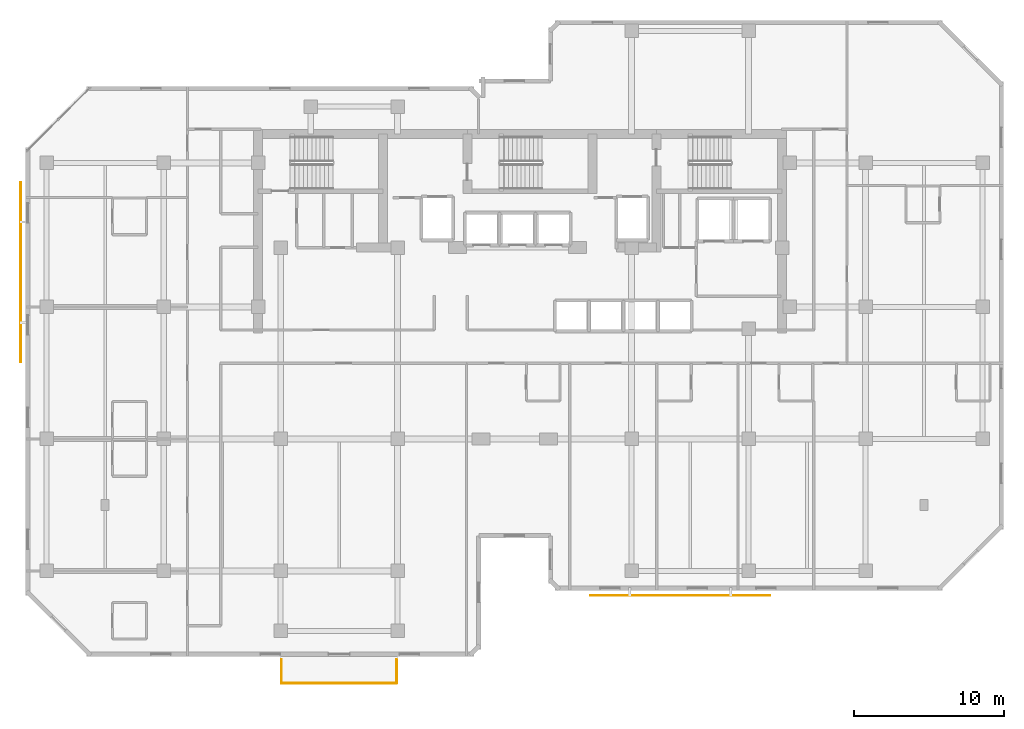
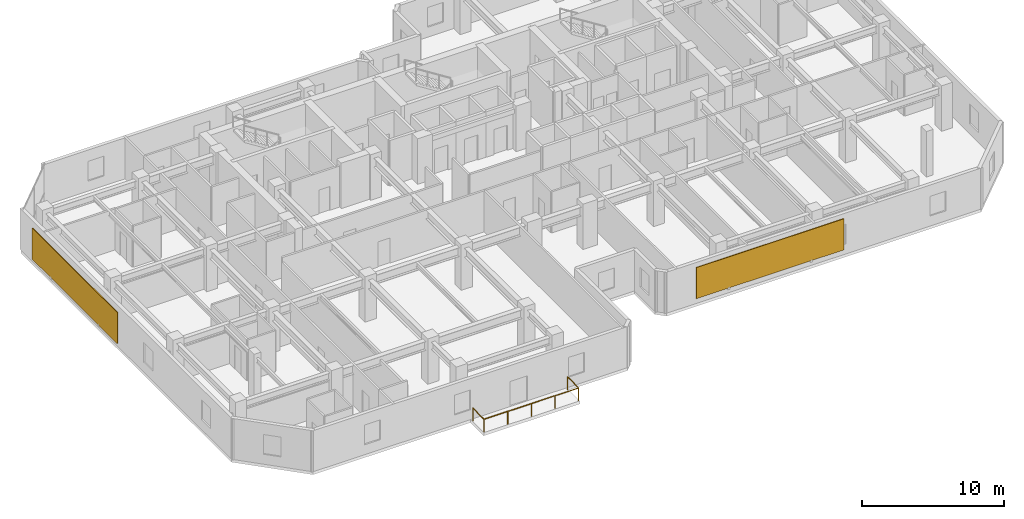
# One storey, part 9 of 10: 2 railings, 2 shading devices.
"""IFC4 building model written with IfcOpenShell, lengths in metres."""

import ifcopenshell
import ifcopenshell.guid

model = None  # the IFC model being written
_history = None  # IfcOwnerHistory: only IFC2X3 demands one
_inside = {}  # id of a spatial element -> (the spatial element, [elements in it])
_under = {}  # id of a project, library or spatial element -> (it, [spatial elements below it])
_declared = {}  # id of a project -> (the project, [libraries it declares])
_typed = {}  # id of a type object -> (the type object, [elements of that type])
_made_of = {}  # id of a material, layer set ... -> (it, [elements and type objects made of it])


def new_model(schema):
    """Start an empty IFC model of exactly this schema.

    Asked for "IFC4X3", IfcOpenShell would pick the latest addendum, in which some entities
    have other attributes; the version numbers below select the first issue.
    IFC2X3 requires an IfcOwnerHistory on every rooted entity: one is made here for all.
    """
    global model, _history
    if schema == "IFC4X3":
        model = ifcopenshell.file(schema_version=(4, 3, 0, 0))
    else:
        model = ifcopenshell.file(schema=schema)
    _inside.clear()
    _under.clear()
    _declared.clear()
    _typed.clear()
    _made_of.clear()
    _history = None
    if model.schema == "IFC2X3":
        org = make("IfcOrganization", Name="unknown")
        user = make(
            "IfcPersonAndOrganization",
            ThePerson=make("IfcPerson", FamilyName="unknown"),
            TheOrganization=org,
        )
        app = make(
            "IfcApplication",
            ApplicationDeveloper=org,
            Version="unknown",
            ApplicationFullName="unknown",
            ApplicationIdentifier="unknown",
        )
        _history = make(
            "IfcOwnerHistory",
            OwningUser=user,
            OwningApplication=app,
            ChangeAction="ADDED",
            CreationDate=0,
        )
    return model


def make(cls, **values):
    """One entity of the class cls with the attributes given. An attribute that is None is left unset."""
    return model.create_entity(
        cls, **{name: value for name, value in values.items() if value is not None}
    )


def rooted(cls, **values):
    """An entity with a GlobalId (a new one), such as an element, a storey or a relation."""
    return make(cls, GlobalId=ifcopenshell.guid.new(), OwnerHistory=_history, **values)


def si_unit(unit_type, name, prefix=None):
    """IfcSIUnit, for example si_unit("LENGTHUNIT", "METRE", prefix="MILLI")."""
    return make("IfcSIUnit", UnitType=unit_type, Prefix=prefix, Name=name)


def assignment(units):
    """IfcUnitAssignment: the units of a project."""
    return None if units is None else make("IfcUnitAssignment", Units=units)


def point(xyz):
    """IfcCartesianPoint."""
    return None if xyz is None else make("IfcCartesianPoint", Coordinates=xyz)


def direction(xyz):
    """IfcDirection."""
    return None if xyz is None else make("IfcDirection", DirectionRatios=xyz)


def frame(location, z_axis=None, x_axis=None):
    """IfcAxis2Placement3D, a coordinate frame: its origin and axes. An axis left out is left unset."""
    return make(
        "IfcAxis2Placement3D",
        Location=point(location),
        Axis=direction(z_axis),
        RefDirection=direction(x_axis),
    )


def frame_2d(location, x_axis=None):
    """IfcAxis2Placement2D, a coordinate frame in the plane: its origin and x axis."""
    return make(
        "IfcAxis2Placement2D", Location=point(location), RefDirection=direction(x_axis)
    )


def origin():
    """The frame at (0, 0, 0) with its axes left unset."""
    return frame((0.0, 0.0, 0.0))


def origin_2d():
    """The frame at (0, 0) in the plane with its x axis left unset."""
    return frame_2d((0.0, 0.0))


def place(relative_to, where):
    """IfcLocalPlacement: puts the frame where relative to a parent placement (None: the world)."""
    return make(
        "IfcLocalPlacement", PlacementRelTo=relative_to, RelativePlacement=where
    )


def context(
    kind, dimensions, precision=None, world=None, true_north=None, identifier=None
):
    """IfcGeometricRepresentationContext, for example the 3D "Model" context."""
    return make(
        "IfcGeometricRepresentationContext",
        ContextIdentifier=identifier,
        ContextType=kind,
        CoordinateSpaceDimension=dimensions,
        Precision=precision,
        WorldCoordinateSystem=world,
        TrueNorth=true_north,
    )


def subcontext(parent, identifier, kind, view, scale=None):
    """IfcGeometricRepresentationSubContext, for example "Body" below "Model"."""
    return make(
        "IfcGeometricRepresentationSubContext",
        ContextIdentifier=identifier,
        ContextType=kind,
        ParentContext=parent,
        TargetScale=scale,
        TargetView=view,
    )


def project(units=None, contexts=None):
    """IfcProject with its units and contexts."""
    return rooted(
        "IfcProject",
        Name="project",
        RepresentationContexts=contexts,
        UnitsInContext=assignment(units),
    )


def spatial(cls, under=None, at=None, **own):
    """A site, building, storey or space (cls), placed at a placement, below another one or the project."""
    s = rooted(cls, ObjectPlacement=at, **own)
    if under is not None:
        _under.setdefault(under.id(), (under, []))[1].append(s)
    return s


def profile(cls, at=None, kind="AREA", **sizes):
    """A parametric profile (cls). Its sizes go by their IFC names, for example OverallWidth=200.0."""
    return make(cls, ProfileType=kind, Position=at, **sizes)


def rectangle(**sizes):
    """IfcRectangleProfileDef."""
    return profile("IfcRectangleProfileDef", **sizes)


def circle(**sizes):
    """IfcCircleProfileDef."""
    return profile("IfcCircleProfileDef", **sizes)


def extrude(swept, where, along, depth):
    """IfcExtrudedAreaSolid: the profile swept, set in the frame where, extruded along a direction by depth."""
    return make(
        "IfcExtrudedAreaSolid",
        SweptArea=swept,
        Position=where,
        ExtrudedDirection=direction(along),
        Depth=depth,
    )


def shape(context_of_items, identifier, shape_type, items):
    """IfcShapeRepresentation: the items that make up one representation, for example the "Body"."""
    return make(
        "IfcShapeRepresentation",
        ContextOfItems=context_of_items,
        RepresentationIdentifier=identifier,
        RepresentationType=shape_type,
        Items=items,
    )


def material(Name=None, Category=None):
    """IfcMaterial."""
    return make("IfcMaterial", Name=Name, Category=Category)


def layer(
    of_material, thickness, ventilated=None, Name=None, Category=None, Priority=None
):
    """IfcMaterialLayer: one layer of a wall or slab, of a material (None: an air gap)."""
    return make(
        "IfcMaterialLayer",
        Material=of_material,
        LayerThickness=thickness,
        IsVentilated=ventilated,
        Name=Name,
        Category=Category,
        Priority=Priority,
    )


def layer_set(layers, Name=None):
    """IfcMaterialLayerSet."""
    return make("IfcMaterialLayerSet", MaterialLayers=layers, LayerSetName=Name)


def made_of(thing, what):
    """Note that an element or type object is made of a material, layer set ...; save() writes the relation."""
    if what is not None:
        _made_of.setdefault(what.id(), (what, []))[1].append(thing)
    return thing


def type_object(cls, material=None, **own):
    """A type object (cls), such as IfcWallType, which elements share."""
    return made_of(rooted(cls, **own), material)


def element(
    cls,
    number,
    at=None,
    inside=None,
    cuts=None,
    type_object=None,
    material=None,
    context=None,
    identifier="Body",
    shape_type=None,
    held_by="IfcProductDefinitionShape",
    body=None,
    shapes=None,
    **own,
):
    """One element of the class cls, such as IfcWall. Its Tag is "e" and its number.

    at: its placement. inside: the storey or other place that contains it. cuts: it is an
    opening in that element (IfcRelVoidsElement). A single representation is given by context,
    identifier, shape_type and body (its items); several are given by shapes. held_by: the class
    of the entity that holds the representations. save() writes the other relations.
    """
    e = rooted(cls, Tag="e%d" % number, ObjectPlacement=at, **own)
    if body is not None:
        shapes = [shape(context, identifier, shape_type, body)]
    if shapes is not None:
        e.Representation = make(held_by, Representations=shapes)
    if inside is not None:
        _inside.setdefault(inside.id(), (inside, []))[1].append(e)
    if cuts is not None:
        rooted(
            "IfcRelVoidsElement", RelatingBuildingElement=cuts, RelatedOpeningElement=e
        )
    if type_object is not None:
        _typed.setdefault(type_object.id(), (type_object, []))[1].append(e)
    return made_of(e, material)


def aggregate(whole, parts):
    """IfcRelAggregates: a whole, such as a stair, and the parts it consists of."""
    return rooted("IfcRelAggregates", RelatingObject=whole, RelatedObjects=parts)


def save(model, path):
    """Write the relations noted so far, then the file.

    IfcRelAggregates (storeys below a building ...), IfcRelContainedInSpatialStructure (elements
    in a storey), IfcRelDefinesByType, IfcRelAssociatesMaterial and IfcRelDeclares: one each for
    every whole, place, type object, material and project.
    """
    for whole, parts in _under.values():
        aggregate(whole, parts)
    for where, things in _inside.values():
        rooted(
            "IfcRelContainedInSpatialStructure",
            RelatedElements=things,
            RelatingStructure=where,
        )
    for kind, things in _typed.values():
        rooted("IfcRelDefinesByType", RelatedObjects=things, RelatingType=kind)
    for what, things in _made_of.values():
        rooted("IfcRelAssociatesMaterial", RelatedObjects=things, RelatingMaterial=what)
    for by, libraries in _declared.values():
        rooted("IfcRelDeclares", RelatingContext=by, RelatedDefinitions=libraries)
    model.write(path)


model = new_model("IFC4")

# Units and contexts
model_context = context("Model", 3, precision=1e-05, world=origin(), true_north=direction((0.0, 1.0)))
body_context = subcontext(model_context, "Body", "Model", "MODEL_VIEW")
ifc_project = project(units=[si_unit("LENGTHUNIT", "METRE"), si_unit("AREAUNIT", "SQUARE_METRE"), si_unit("VOLUMEUNIT", "CUBIC_METRE"), si_unit("PLANEANGLEUNIT", "RADIAN"), si_unit("MASSUNIT", "GRAM", prefix="KILO")], contexts=[model_context])

# Site, building, storey
site_placement = place(None, origin())
site = spatial("IfcSite", under=ifc_project, at=site_placement, CompositionType="ELEMENT")
building_placement = place(site_placement, origin())
building = spatial("IfcBuilding", under=site, at=building_placement, Name="Kestravale Grand Hotel", CompositionType="ELEMENT")
storey_placement = place(building_placement, frame((0.0, 0.0, 236.5)))
storey = spatial("IfcBuildingStorey", under=building, at=storey_placement, Name="L59", CompositionType="ELEMENT", Elevation=236.5)

# Railings
ifc_material_1 = material(Name="Champagne-bronze stainless steel and laminated glass guard", Category="steel")
railing_type = type_object("IfcRailingType", Name="RL-EXT-1100", PredefinedType="GUARDRAIL", material=ifc_material_1)
railing_1_placement = place(storey_placement, frame((23.4599609375, 3.7099609375, 0.0)))
element("IfcRailing", 1, at=railing_1_placement, inside=storey, type_object=railing_type, Name="L59 outdoor terrace guard 1", PredefinedType="GUARDRAIL", context=body_context, shape_type="SweptSolid", body=[
    extrude(circle(Radius=0.02392578125, at=origin_2d()), frame((0.0, 0.0, 1.09619140625), z_axis=(0.0, 1.0, 0.0), x_axis=(-1.0, 0.0, 0.0)), (0.0, 0.0, 1.0), 1.570068359375),
    extrude(circle(Radius=0.02099609375, at=origin_2d()), origin(), (0.0, 0.0, 1.0), 1.072021484375),
    extrude(circle(Radius=0.02099609375, at=origin_2d()), frame((0.0, 1.570068359375, 0.0)), (0.0, 0.0, 1.0), 1.072021484375),
])
railing_2_placement = place(storey_placement, frame((31.139892578125, 5.280029296875, 0.0)))
element("IfcRailing", 2, at=railing_2_placement, inside=storey, type_object=railing_type, Name="L59 outdoor terrace guard 2", PredefinedType="GUARDRAIL", context=body_context, shape_type="SweptSolid", body=[
    extrude(circle(Radius=0.02392578125, at=origin_2d()), frame((0.0, 0.0, 1.09619140625), z_axis=(0.0, -1.0, 0.0), x_axis=(1.0, 0.0, 0.0)), (0.0, 0.0, 1.0), 1.570068359375),
    extrude(circle(Radius=0.02392578125, at=origin_2d()), frame((0.0, -1.570068359375, 1.09619140625), z_axis=(-1.0, 0.0, 0.0), x_axis=(0.0, -1.0, 0.0)), (0.0, 0.0, 1.0), 7.679931640625),
    extrude(circle(Radius=0.02099609375, at=origin_2d()), origin(), (0.0, 0.0, 1.0), 1.072021484375),
    extrude(circle(Radius=0.02099609375, at=origin_2d()), frame((0.0, -1.570068359375, 0.0)), (0.0, 0.0, 1.0), 1.072021484375),
    extrude(circle(Radius=0.02099609375, at=origin_2d()), frame((-1.919921875, -1.570068359375, 0.0)), (0.0, 0.0, 1.0), 1.072021484375),
    extrude(circle(Radius=0.02099609375, at=origin_2d()), frame((-3.83984375, -1.570068359375, 0.0)), (0.0, 0.0, 1.0), 1.072021484375),
    extrude(circle(Radius=0.02099609375, at=origin_2d()), frame((-5.760009765625, -1.570068359375, 0.0)), (0.0, 0.0, 1.0), 1.072021484375),
    extrude(circle(Radius=0.02099609375, at=origin_2d()), frame((-7.679931640625, -1.570068359375, 0.0)), (0.0, 0.0, 1.0), 1.072021484375),
])

# Shading devices
ifc_material_2 = material(Name="Perforated champagne-bronze aluminium and ceramic solar screen", Category="aluminium")
ifc_layer = layer(ifc_material_2, 0.06494140625)
ifc_layer_set = layer_set([ifc_layer], Name="SHD-SCR-CHEV")
shading_device_type = type_object("IfcShadingDeviceType", Name="SHD-SCR-CHEV", PredefinedType="USERDEFINED", material=ifc_layer_set)
for number, where, z_axis, x_axis, name in (
    (3, (50.050048828125, 9.56005859375, 0.699951171875), (0.0, 0.0, 1.0), (1.0, 0.0, 0.0), "L59 Perforated bronze ceramic chevron solar screen SCR-L59-07"),
    (4, (6.06005859375, 31.10009765625, 0.699951171875), (0.0, 0.0, 1.0), (0.0, -1.0, 0.0), "L59 Perforated bronze ceramic chevron solar screen SCR-L59-19"),
):
    element("IfcShadingDevice", number, at=place(storey_placement, frame(where, z_axis=z_axis, x_axis=x_axis)), inside=storey, type_object=shading_device_type, Name=name, ObjectType="SCREEN", PredefinedType="USERDEFINED", context=body_context, shape_type="SweptSolid", body=[
        extrude(rectangle(XDim=12.0, YDim=0.06494140625, at=origin_2d()), origin(), (0.0, 0.0, 1.0), 2.669921875),
    ])

save(model, "model.ifc")
